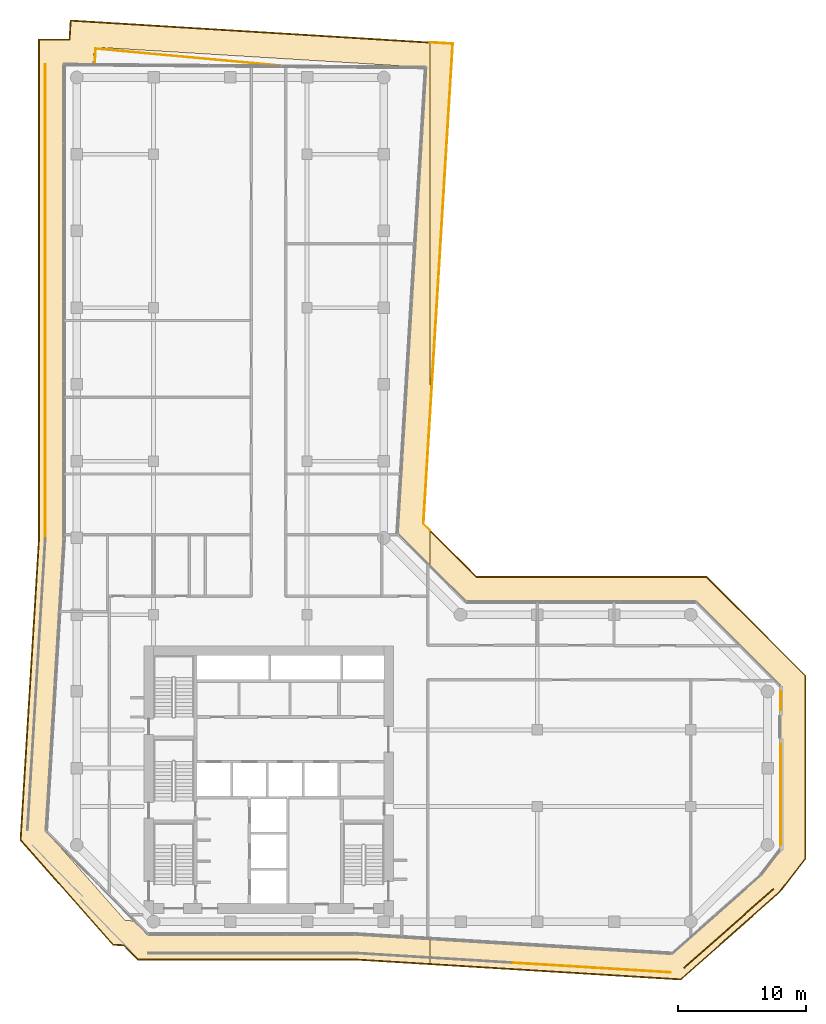
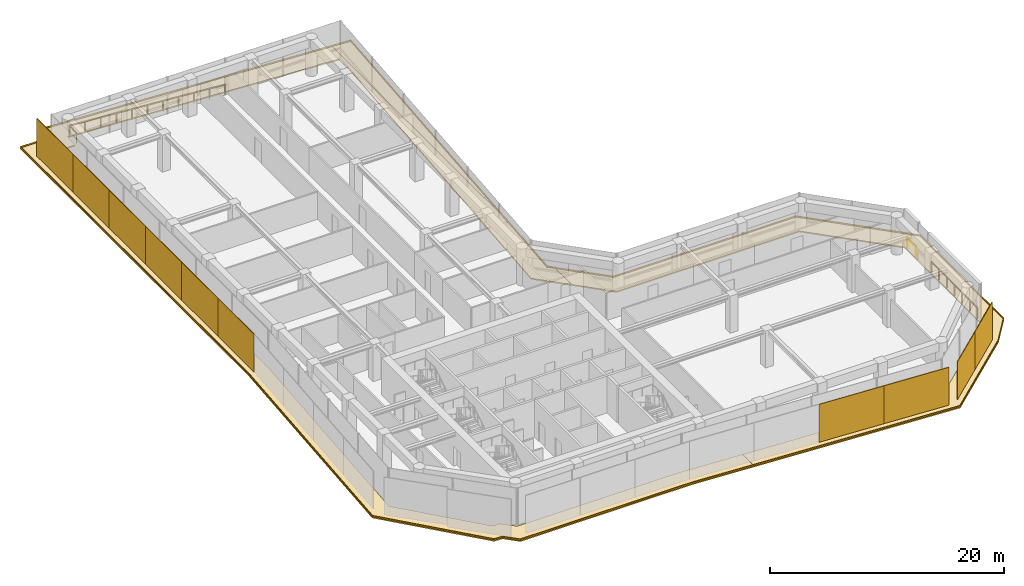
# One storey, part 24 of 24: 17 coverings, 3 railings.
"""IFC4 building model written with IfcOpenShell, lengths in metres."""

from ifc_helpers import new_model, si_unit, direction, frame, origin, origin_2d, place, context, subcontext, project, spatial, polyline, rectangle, circle, outline, extrude, material, layer, layer_set, type_object, element, save


model = new_model("IFC4")

# Units and contexts
model_context = context("Model", 3, precision=1e-05, world=origin(), true_north=direction((0.0, 1.0)))
body_context = subcontext(model_context, "Body", "Model", "MODEL_VIEW")
ifc_project = project(units=[si_unit("LENGTHUNIT", "METRE"), si_unit("AREAUNIT", "SQUARE_METRE"), si_unit("VOLUMEUNIT", "CUBIC_METRE"), si_unit("PLANEANGLEUNIT", "RADIAN"), si_unit("MASSUNIT", "GRAM", prefix="KILO")], contexts=[model_context])

# Site, building, storey
site_placement = place(None, origin())
site = spatial("IfcSite", under=ifc_project, at=site_placement, CompositionType="ELEMENT")
building_placement = place(site_placement, origin())
building = spatial("IfcBuilding", under=site, at=building_placement, Name="Welwitschia Terrace Campus", CompositionType="ELEMENT")
storey_placement = place(building_placement, frame((0.0, 0.0, 125.60009765625)))
storey = spatial("IfcBuildingStorey", under=building, at=storey_placement, Name="L28", CompositionType="ELEMENT", Elevation=125.60009765625)

# Coverings
ifc_material_1 = material(Name="Bronze mesh aluminium screen", Category="aluminium")
ifc_layer_1 = layer(ifc_material_1, 0.06005859375)
ifc_layer_set_1 = layer_set([ifc_layer_1], Name="Bronze mesh aluminium screen")
covering_type_1 = type_object("IfcCoveringType", Name="Bronze screen 60", PredefinedType="USERDEFINED", material=ifc_layer_set_1)
for number, where, z_axis, x_axis, name in (
    (1, (37.155029296875, 0.595458984375, 0.0), (0.0, 0.0, 1.0), (0.998134798422, -0.061048539535, 0.0), "Screen L28.3.2"),
    (2, (43.349609375, 0.216552734375, 0.0), (0.0, 0.0, 1.0), (0.998134798422, -0.061048539535, 0.0), "Screen L28.3.3"),
):
    element("IfcCovering", number, at=place(storey_placement, frame(where, z_axis=z_axis, x_axis=x_axis)), inside=storey, type_object=covering_type_1, Name=name, ObjectType="SCREEN", PredefinedType="USERDEFINED", context=body_context, shape_type="SweptSolid", body=[
        extrude(rectangle(XDim=6.186279296875, YDim=0.06005859375, at=origin_2d()), origin(), (0.0, 0.0, 1.0), 3.949951171875),
    ])
for number, where, z_axis, x_axis, name in (
    (3, (49.228515625, 1.928955078125, 0.0), (0.0, 0.0, 1.0), (0.748955720789, 0.662620048216, 0.0), "Screen L28.4.0"),
    (4, (52.72216796875, 5.01953125, 0.0), (0.0, 0.0, 1.0), (0.748955720789, 0.662620048216, 0.0), "Screen L28.4.1"),
):
    element("IfcCovering", number, at=place(storey_placement, frame(where, z_axis=z_axis, x_axis=x_axis)), inside=storey, type_object=covering_type_1, Name=name, ObjectType="SCREEN", PredefinedType="USERDEFINED", context=body_context, shape_type="SweptSolid", body=[
        extrude(rectangle(XDim=4.64453125, YDim=0.06005859375, at=origin_2d()), origin(), (0.0, 0.0, 1.0), 3.949951171875),
    ])
for number, where, z_axis, x_axis, name in (
    (5, (-2.4599609375, 67.953369140625, 0.0), (0.0, 0.0, 1.0), (0.0, -1.0, 0.0), "Screen L28.12.0"),
    (6, (-2.4599609375, 61.7626953125, 0.0), (0.0, 0.0, 1.0), (0.0, -1.0, 0.0), "Screen L28.12.1"),
    (7, (-2.4599609375, 55.572021484375, 0.0), (0.0, 0.0, 1.0), (0.0, -1.0, 0.0), "Screen L28.12.2"),
    (8, (-2.4599609375, 49.38134765625, 0.0), (0.0, 0.0, 1.0), (0.0, -1.0, 0.0), "Screen L28.12.3"),
    (9, (-2.4599609375, 43.190673828125, 0.0), (0.0, 0.0, 1.0), (0.0, -1.0, 0.0), "Screen L28.12.4"),
    (10, (-2.4599609375, 37.0, 0.0), (0.0, 0.0, 1.0), (0.0, -1.0, 0.0), "Screen L28.12.5"),
):
    element("IfcCovering", number, at=place(storey_placement, frame(where, z_axis=z_axis, x_axis=x_axis)), inside=storey, type_object=covering_type_1, Name=name, ObjectType="SCREEN", PredefinedType="USERDEFINED", context=body_context, shape_type="SweptSolid", body=[
        extrude(rectangle(XDim=6.170654296875, YDim=0.06005859375, at=origin_2d()), origin(), (0.0, 0.0, 1.0), 3.949951171875),
    ])

# Railings
ifc_material_2 = material(Name="Stainless steel grade 316", Category="steel")
railing_type = type_object("IfcRailingType", Name="Guard 1100", PredefinedType="GUARDRAIL", material=ifc_material_2)
railing_1_placement = place(storey_placement, frame((1.414794921875, 71.028564453125, 0.0)))
element("IfcRailing", 11, at=railing_1_placement, inside=storey, type_object=railing_type, Name="Guard floor edge L28.0", PredefinedType="GUARDRAIL", context=body_context, shape_type="SweptSolid", body=[
    extrude(circle(Radius=0.02392578125, at=origin_2d()), frame((0.0, 0.0, 1.076171875), z_axis=(0.041613901365, 0.999133766426, 0.0), x_axis=(-0.999133766426, 0.041613901365, 0.0)), (0.0, 0.0, 1.0), 1.22021484375),
    extrude(circle(Radius=0.02392578125, at=origin_2d()), frame((0.05078125, 1.21923828125, 1.076171875), z_axis=(0.995782353977, -0.091746953667, 0.0), x_axis=(0.091746953667, 0.995782353977, 0.0)), (0.0, 0.0, 1.0), 14.593017578125),
    extrude(circle(Radius=0.02099609375, at=origin_2d()), origin(), (0.0, 0.0, 1.0), 1.052001953125),
    extrude(circle(Radius=0.02099609375, at=origin_2d()), frame((0.05078125, 1.21923828125, 0.0)), (0.0, 0.0, 1.0), 1.052001953125),
    extrude(circle(Radius=0.02099609375, at=origin_2d()), frame((1.50390625, 1.08544921875, 0.0)), (0.0, 0.0, 1.0), 1.052001953125),
    extrude(circle(Radius=0.02099609375, at=origin_2d()), frame((2.95703125, 0.951416015625, 0.0)), (0.0, 0.0, 1.0), 1.052001953125),
    extrude(circle(Radius=0.02099609375, at=origin_2d()), frame((4.41015625, 0.817626953125, 0.0)), (0.0, 0.0, 1.0), 1.052001953125),
    extrude(circle(Radius=0.02099609375, at=origin_2d()), frame((5.86328125, 0.68359375, 0.0)), (0.0, 0.0, 1.0), 1.052001953125),
    extrude(circle(Radius=0.02099609375, at=origin_2d()), frame((7.31640625, 0.5498046875, 0.0)), (0.0, 0.0, 1.0), 1.052001953125),
    extrude(circle(Radius=0.02099609375, at=origin_2d()), frame((8.769775390625, 0.416015625, 0.0)), (0.0, 0.0, 1.0), 1.052001953125),
    extrude(circle(Radius=0.02099609375, at=origin_2d()), frame((10.222900390625, 0.281982421875, 0.0)), (0.0, 0.0, 1.0), 1.052001953125),
    extrude(circle(Radius=0.02099609375, at=origin_2d()), frame((11.676025390625, 0.148193359375, 0.0)), (0.0, 0.0, 1.0), 1.052001953125),
    extrude(circle(Radius=0.02099609375, at=origin_2d()), frame((13.129150390625, 0.01416015625, 0.0)), (0.0, 0.0, 1.0), 1.052001953125),
    extrude(circle(Radius=0.02099609375, at=origin_2d()), frame((14.582275390625, -0.11962890625, 0.0)), (0.0, 0.0, 1.0), 1.052001953125),
])
railing_2_placement = place(storey_placement, frame((55.030029296875, 17.89013671875, 0.0)))
element("IfcRailing", 12, at=railing_2_placement, inside=storey, type_object=railing_type, Name="Guard floor edge L28.1", PredefinedType="GUARDRAIL", context=body_context, shape_type="SweptSolid", body=[
    extrude(circle(Radius=0.02392578125, at=origin_2d()), frame((0.0, 0.0, 1.076171875), z_axis=(0.0, -1.0, 0.0), x_axis=(1.0, 0.0, 0.0)), (0.0, 0.0, 1.0), 7.890625),
    extrude(circle(Radius=0.02099609375, at=origin_2d()), origin(), (0.0, 0.0, 1.0), 1.052001953125),
    extrude(circle(Radius=0.02099609375, at=origin_2d()), frame((0.0, -1.315185546875, 0.0)), (0.0, 0.0, 1.0), 1.052001953125),
    extrude(circle(Radius=0.02099609375, at=origin_2d()), frame((0.0, -2.630126953125, 0.0)), (0.0, 0.0, 1.0), 1.052001953125),
    extrude(circle(Radius=0.02099609375, at=origin_2d()), frame((0.0, -3.9453125, 0.0)), (0.0, 0.0, 1.0), 1.052001953125),
    extrude(circle(Radius=0.02099609375, at=origin_2d()), frame((0.0, -5.260498046875, 0.0)), (0.0, 0.0, 1.0), 1.052001953125),
    extrude(circle(Radius=0.02099609375, at=origin_2d()), frame((0.0, -6.575439453125, 0.0)), (0.0, 0.0, 1.0), 1.052001953125),
    extrude(circle(Radius=0.02099609375, at=origin_2d()), frame((0.0, -7.890625, 0.0)), (0.0, 0.0, 1.0), 1.052001953125),
])
railing_3_placement = place(storey_placement, frame((55.030029296875, 22.0029296875, 0.0)))
element("IfcRailing", 13, at=railing_3_placement, inside=storey, type_object=railing_type, Name="Guard floor edge L28.2", PredefinedType="GUARDRAIL", context=body_context, shape_type="SweptSolid", body=[
    extrude(circle(Radius=0.02392578125, at=origin_2d()), frame((0.0, 0.0, 1.076171875), z_axis=(0.0, -1.0, 0.0), x_axis=(1.0, 0.0, 0.0)), (0.0, 0.0, 1.0), 1.46533203125),
    extrude(circle(Radius=0.02099609375, at=origin_2d()), origin(), (0.0, 0.0, 1.0), 1.052001953125),
    extrude(circle(Radius=0.02099609375, at=origin_2d()), frame((0.0, -1.46533203125, 0.0)), (0.0, 0.0, 1.0), 1.052001953125),
])

# Coverings
ifc_material_3 = material(Name="Bronze anodised aluminium", Category="aluminium")
ifc_layer_2 = layer(ifc_material_3, 0.1201171875)
ifc_layer_set_2 = layer_set([ifc_layer_2], Name="Bronze anodised aluminium")
covering_type_2 = type_object("IfcCoveringType", Name="Sunshade band 2000", PredefinedType="USERDEFINED", material=ifc_layer_set_2)
covering_1_placement = place(storey_placement, frame((0.0, 0.0, -0.25)))
element("IfcCovering", 14, at=covering_1_placement, inside=storey, type_object=covering_type_2, Name="SUNSHADE L28.SW0", ObjectType="SUNSHADE", PredefinedType="USERDEFINED", context=body_context, shape_type="SweptSolid", body=[
    extrude(outline(polyline([(-0.612548828125, 73.0), (-0.521240234375, 74.493408203125), (27.603759765625, 72.773193359375), (27.603759765625, 42.919677734375), (27.12646484375, 35.1162109375), (27.603759765625, 34.638916015625), (27.603759765625, 31.810546875), (25.0751953125, 34.339111328125), (27.304443359375, 70.787841796875), (1.35302734375, 72.375), (1.268798828125, 71.0), (-1.0, 71.0), (-1.0, 33.90380859375), (-2.396240234375, 11.075439453125), (3.775146484375, 4.099853515625), (4.5322265625, 4.053466796875), (5.585693359375, 3.0), (21.7568359375, 3.0), (27.603759765625, 2.642333984375), (27.603759765625, 0.638671875), (21.69580078125, 1.0), (4.75732421875, 1.0), (3.65380859375, 2.103515625), (2.826171875, 2.154052734375), (-4.443115234375, 10.37060546875), (-3.0, 33.96484375), (-3.0, 73.0), (-0.612548828125, 73.0)])), origin(), (0.0, 0.0, 1.0), 0.119873046875),
])
covering_2_placement = place(storey_placement, frame((0.0, 0.0, -0.25)))
element("IfcCovering", 15, at=covering_2_placement, inside=storey, type_object=covering_type_2, Name="SUNSHADE L28.SE0", ObjectType="SUNSHADE", PredefinedType="USERDEFINED", context=body_context, shape_type="SweptSolid", body=[
    extrude(outline(polyline([(29.4228515625, 72.661865234375), (27.603759765625, 42.919677734375), (27.603759765625, 72.773193359375), (29.4228515625, 72.661865234375)])), origin(), (0.0, 0.0, 1.0), 0.119873046875),
])
covering_3_placement = place(storey_placement, frame((0.0, 0.0, -0.25)))
element("IfcCovering", 16, at=covering_3_placement, inside=storey, type_object=covering_type_2, Name="SUNSHADE L28.SE1", ObjectType="SUNSHADE", PredefinedType="USERDEFINED", context=body_context, shape_type="SweptSolid", body=[
    extrude(outline(polyline([(31.24267578125, 31.0), (49.24267578125, 31.0), (57.0, 23.24267578125), (57.0, 8.8994140625), (54.9638671875, 6.281982421875), (47.228515625, -0.561767578125), (27.603759765625, 0.638671875), (27.603759765625, 2.642333984375), (46.523681640625, 1.485107421875), (53.499267578125, 7.656494140625), (55.0, 9.585693359375), (55.0, 22.414306640625), (48.414306640625, 29.0), (30.414306640625, 29.0), (27.603759765625, 31.810546875), (27.603759765625, 34.638916015625), (31.24267578125, 31.0)])), origin(), (0.0, 0.0, 1.0), 0.119873046875),
])
ifc_material_4 = material(Name="Bronze anodised aluminium", Category="aluminium")
ifc_layer_3 = layer(ifc_material_4, 0.06005859375)
ifc_layer_set_3 = layer_set([ifc_layer_3], Name="Bronze anodised aluminium")
covering_type_3 = type_object("IfcCoveringType", Name="Sunshade lip 60", PredefinedType="USERDEFINED", material=ifc_layer_set_3)
covering_4_placement = place(storey_placement, frame((0.0, 0.0, -0.130126953125)))
element("IfcCovering", 17, at=covering_4_placement, inside=storey, type_object=covering_type_3, Name="SUNSHADE LIP L28.SW0.0", ObjectType="SUNSHADE", PredefinedType="USERDEFINED", context=body_context, shape_type="SweptSolid", body=[
    extrude(outline(polyline([(-0.521240234375, 74.493408203125), (27.603759765625, 72.773193359375), (27.603759765625, 72.713134765625), (-0.46484375, 74.4296875), (-0.55615234375, 72.93994140625), (-2.93994140625, 72.93994140625), (-2.93994140625, 33.962890625), (-4.381591796875, 10.3916015625), (2.854736328125, 2.21240234375), (3.68017578125, 2.162109375), (4.7822265625, 1.06005859375), (21.697509765625, 1.06005859375), (27.603759765625, 0.69873046875), (27.603759765625, 0.638671875), (21.69580078125, 1.0), (4.75732421875, 1.0), (3.65380859375, 2.103515625), (2.826171875, 2.154052734375), (-4.443115234375, 10.37060546875), (-3.0, 33.96484375), (-3.0, 73.0), (-0.612548828125, 73.0), (-0.521240234375, 74.493408203125)])), origin(), (0.0, 0.0, 1.0), 0.130126953125),
])
covering_5_placement = place(storey_placement, frame((0.0, 0.0, -0.130126953125)))
element("IfcCovering", 18, at=covering_5_placement, inside=storey, type_object=covering_type_3, Name="SUNSHADE LIP L28.SW0.1", ObjectType="SUNSHADE", PredefinedType="USERDEFINED", context=body_context, shape_type="SweptSolid", body=[
    extrude(outline(polyline([(27.603759765625, 42.919677734375), (27.12646484375, 35.1162109375), (27.603759765625, 34.638916015625), (27.603759765625, 34.553955078125), (27.06494140625, 35.0927734375), (27.603759765625, 43.90234375), (27.603759765625, 42.919677734375)])), origin(), (0.0, 0.0, 1.0), 0.130126953125),
])
covering_6_placement = place(storey_placement, frame((0.0, 0.0, -0.130126953125)))
element("IfcCovering", 19, at=covering_6_placement, inside=storey, type_object=covering_type_3, Name="SUNSHADE LIP L28.SE0.0", ObjectType="SUNSHADE", PredefinedType="USERDEFINED", context=body_context, shape_type="SweptSolid", body=[
    extrude(outline(polyline([(27.603759765625, 42.919677734375), (27.603759765625, 43.90234375), (29.359375, 72.605712890625), (27.603759765625, 72.713134765625), (27.603759765625, 72.773193359375), (29.4228515625, 72.661865234375), (27.603759765625, 42.919677734375)])), origin(), (0.0, 0.0, 1.0), 0.130126953125),
])
covering_7_placement = place(storey_placement, frame((0.0, 0.0, -0.130126953125)))
element("IfcCovering", 20, at=covering_7_placement, inside=storey, type_object=covering_type_3, Name="SUNSHADE LIP L28.SE1.0", ObjectType="SUNSHADE", PredefinedType="USERDEFINED", context=body_context, shape_type="SweptSolid", body=[
    extrude(outline(polyline([(49.24267578125, 31.0), (57.0, 23.24267578125), (57.0, 8.8994140625), (54.9638671875, 6.281982421875), (47.228515625, -0.561767578125), (27.603759765625, 0.638671875), (27.603759765625, 0.69873046875), (47.20751953125, -0.500244140625), (54.919921875, 6.322998046875), (56.93994140625, 8.920166015625), (56.93994140625, 23.2177734375), (49.2177734375, 30.93994140625), (31.2177734375, 30.93994140625), (27.603759765625, 34.553955078125), (27.603759765625, 34.638916015625), (31.24267578125, 31.0), (49.24267578125, 31.0)])), origin(), (0.0, 0.0, 1.0), 0.130126953125),
])

save(model, "model.ifc")
